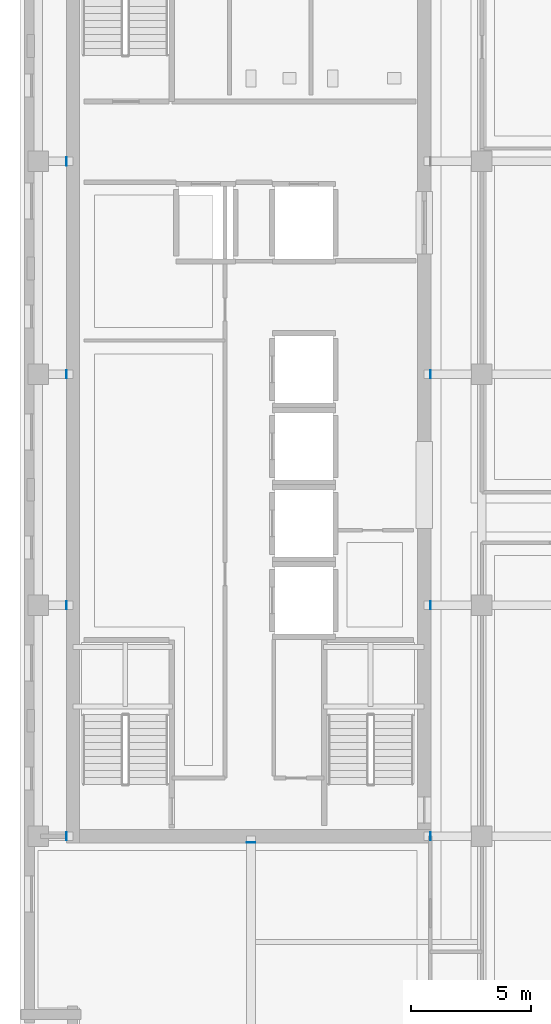
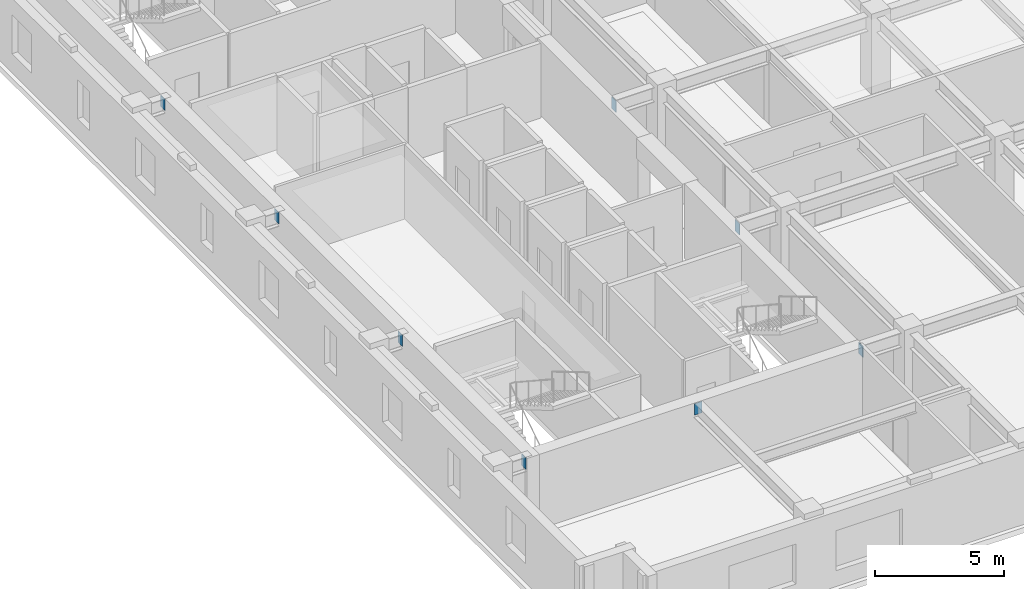
# One storey, part 7 of 14: 8 discrete accessories.
"""IFC4 building model written with IfcOpenShell, lengths in metres."""

from ifc_helpers import new_model, si_unit, direction, frame, origin, origin_2d, place, context, subcontext, project, spatial, rectangle, extrude, material, layer, layer_set, type_object, element, save


model = new_model("IFC4")

# Units and contexts
model_context = context("Model", 3, precision=1e-05, world=origin(), true_north=direction((0.0, 1.0)))
body_context = subcontext(model_context, "Body", "Model", "MODEL_VIEW")
ifc_project = project(units=[si_unit("LENGTHUNIT", "METRE"), si_unit("AREAUNIT", "SQUARE_METRE"), si_unit("VOLUMEUNIT", "CUBIC_METRE"), si_unit("PLANEANGLEUNIT", "RADIAN"), si_unit("MASSUNIT", "GRAM", prefix="KILO")], contexts=[model_context])

# Site, building, storey
site_placement = place(None, origin())
site = spatial("IfcSite", under=ifc_project, at=site_placement, CompositionType="ELEMENT")
building_placement = place(site_placement, origin())
building = spatial("IfcBuilding", under=site, at=building_placement, Name="Norrvale University Quadrangle", CompositionType="ELEMENT")
storey_placement = place(building_placement, frame((0.0, 0.0, 221.800048828125)))
storey = spatial("IfcBuildingStorey", under=building, at=storey_placement, Name="L56", CompositionType="ELEMENT", Elevation=221.800048828125)

# Discrete accessories
ifc_material = material(Name="Steel 350W", Category="steel")
ifc_layer = layer(ifc_material, 0.02490234375, Name="Steel 350W")
ifc_layer_set = layer_set([ifc_layer], Name="Steel 350W")
discrete_accessory_type = type_object("IfcDiscreteAccessoryType", Name="Accessory Cast In Embed Plate", PredefinedType="ANCHORPLATE", material=ifc_layer_set)
for number, where, z_axis, x_axis, name in (
    (1, (1.9375, 9.60009765625, 2.9599609375), (0.0, 0.0, 1.0), (1.0, 0.0, 0.0), "Core Wall Cast-in Embed Plate L56-GCW051"),
    (2, (17.0625, 9.60009765625, 2.9599609375), (0.0, 0.0, 1.0), (1.0, 0.0, 0.0), "Core Wall Cast-in Embed Plate L56-GCE052"),
    (3, (1.9375, 19.199951171875, 2.9599609375), (0.0, 0.0, 1.0), (1.0, 0.0, 0.0), "Core Wall Cast-in Embed Plate L56-GCW053"),
    (4, (17.0625, 19.199951171875, 2.9599609375), (0.0, 0.0, 1.0), (1.0, 0.0, 0.0), "Core Wall Cast-in Embed Plate L56-GCE054"),
    (5, (1.9375, 28.800048828125, 2.9599609375), (0.0, 0.0, 1.0), (1.0, 0.0, 0.0), "Core Wall Cast-in Embed Plate L56-GCW055"),
    (6, (17.0625, 28.800048828125, 2.9599609375), (0.0, 0.0, 1.0), (1.0, 0.0, 0.0), "Core Wall Cast-in Embed Plate L56-GCE056"),
    (7, (1.9375, 37.64990234375, 2.9599609375), (0.0, 0.0, 1.0), (1.0, 0.0, 0.0), "Core Wall Cast-in Embed Plate L56-GCW057"),
):
    element("IfcDiscreteAccessory", number, at=place(storey_placement, frame(where, z_axis=z_axis, x_axis=x_axis)), inside=storey, type_object=discrete_accessory_type, Name=name, PredefinedType="ANCHORPLATE", context=body_context, shape_type="SweptSolid", body=[
        extrude(rectangle(XDim=0.02490234375, YDim=0.35009765625, at=origin_2d()), origin(), (0.0, 0.0, 1.0), 0.5400390625),
    ])
discrete_accessory_placement = place(storey_placement, frame((9.60009765625, 9.33740234375, 2.9599609375), z_axis=(0.0, 0.0, 1.0), x_axis=(1.0, 0.0, 0.0)))
element("IfcDiscreteAccessory", 8, at=discrete_accessory_placement, inside=storey, type_object=discrete_accessory_type, Name="Core Wall Cast-in Embed Plate L56-GCS076", PredefinedType="ANCHORPLATE", context=body_context, shape_type="SweptSolid", body=[
    extrude(rectangle(XDim=0.35009765625, YDim=0.02490234375, at=origin_2d()), origin(), (0.0, 0.0, 1.0), 0.5400390625),
])

save(model, "model.ifc")
